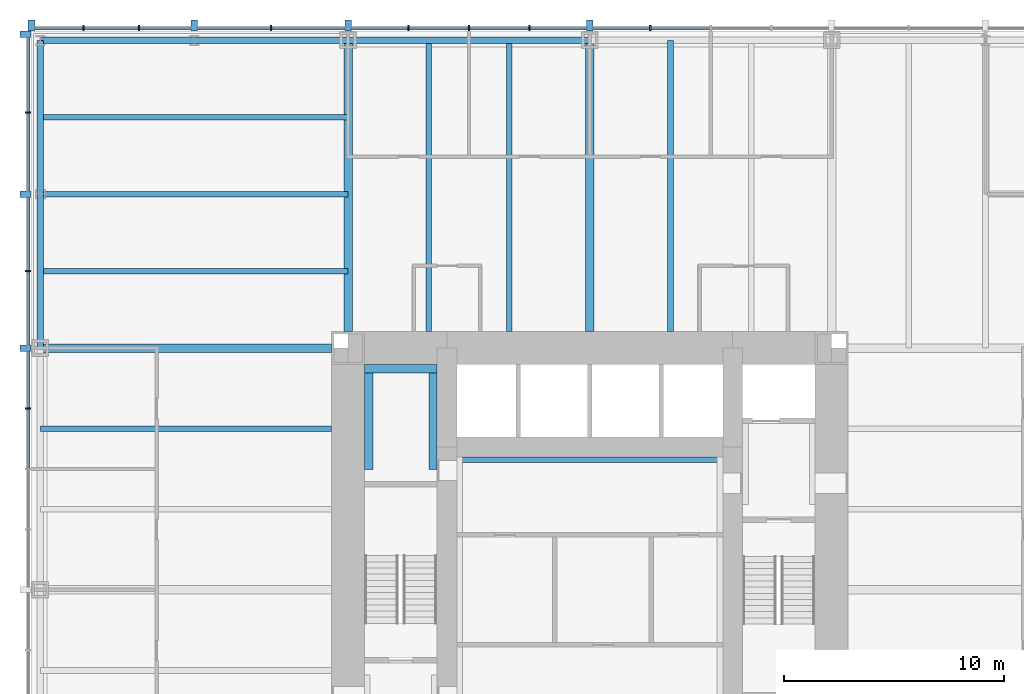
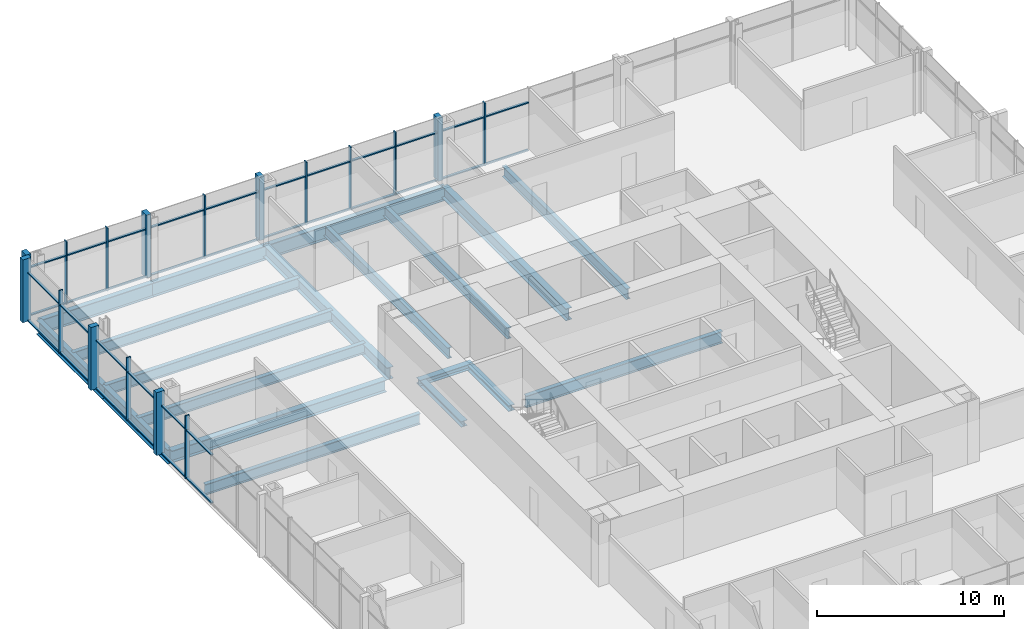
# One storey, part 5 of 12: 51 members, 19 beams, 2 elements without a shape of their own.
"""IFC4 building model written with IfcOpenShell, lengths in metres."""

from ifc_helpers import new_model, si_unit, direction, frame, origin, origin_2d, place, context, subcontext, project, spatial, rectangle, i_section, extrude, material, material_profile, profile_set, type_object, element, aggregate, save


model = new_model("IFC4")

# Units and contexts
model_context = context("Model", 3, precision=1e-05, world=origin(), true_north=direction((0.0, 1.0)))
body_context = subcontext(model_context, "Body", "Model", "MODEL_VIEW")
ifc_project = project(units=[si_unit("LENGTHUNIT", "METRE"), si_unit("AREAUNIT", "SQUARE_METRE"), si_unit("VOLUMEUNIT", "CUBIC_METRE"), si_unit("PLANEANGLEUNIT", "RADIAN"), si_unit("MASSUNIT", "GRAM", prefix="KILO")], contexts=[model_context])

# Site, building, storey
site_placement = place(None, origin())
site = spatial("IfcSite", under=ifc_project, at=site_placement, CompositionType="ELEMENT")
building_placement = place(site_placement, origin())
building = spatial("IfcBuilding", under=site, at=building_placement, Name="Trevanion Tower", CompositionType="ELEMENT")
storey_placement = place(building_placement, frame((0.0, 0.0, 77.5)))
storey = spatial("IfcBuildingStorey", under=building, at=storey_placement, Name="L18", CompositionType="ELEMENT", Elevation=77.5)

# Beams
ifc_material_1 = material(Name="Steel ASTM A992 Grade 50", Category="steel")
ifc_material_profile_1 = material_profile(ifc_material_1, i_section(OverallWidth=0.25390625, OverallDepth=0.700927734375, WebThickness=0.015380859375, FlangeThickness=0.02783203125, at=origin_2d()), Name="W27X129")
ifc_profile_set_1 = profile_set([ifc_material_profile_1], Name="Steel ASTM A992 Grade 50")
beam_type_1 = type_object("IfcBeamType", Name="B3 W27X129", PredefinedType="BEAM", material=ifc_profile_set_1)
for number, where, z_axis, x_axis, name in (
    (1, (3.666748046875, 11.75, -0.54052734375), (0.0, 1.0, 0.0), (-1.0, 0.0, 0.0), "B3 L18"),
    (2, (-3.666748046875, 11.75, -0.54052734375), (0.0, 1.0, 0.0), (-1.0, 0.0, 0.0), "B3 L18"),
    (3, (-7.333251953125, 11.75, -0.54052734375), (0.0, 1.0, 0.0), (-1.0, 0.0, 0.0), "B3 L18"),
    (4, (-11.75, 7.333251953125, -0.54052734375), (-1.0, 0.0, 0.0), (0.0, -1.0, 0.0), "B3 L18"),
):
    element("IfcBeam", number, at=place(storey_placement, frame(where, z_axis=z_axis, x_axis=x_axis)), inside=storey, type_object=beam_type_1, Name=name, PredefinedType="BEAM", context=body_context, shape_type="SweptSolid", body=[
        extrude(i_section(OverallWidth=0.25390625, OverallDepth=0.700927734375, WebThickness=0.015380859375, FlangeThickness=0.02783203125, at=origin_2d()), origin(), (0.0, 0.0, 1.0), 13.25),
    ])
ifc_material_2 = material(Name="Steel ASTM A992 Grade 50", Category="steel")
ifc_material_profile_2 = material_profile(ifc_material_2, i_section(OverallWidth=0.256591796875, OverallDepth=0.693359375, WebThickness=0.014404296875, FlangeThickness=0.023681640625, at=origin_2d()), Name="W27X114")
ifc_profile_set_2 = profile_set([ifc_material_profile_2], Name="Steel ASTM A992 Grade 50")
beam_type_2 = type_object("IfcBeamType", Name="B4 W27X114", PredefinedType="BEAM", material=ifc_profile_set_2)
for number, where, z_axis, x_axis, name in (
    (5, (-11.0, 14.5, -0.53662109375), (-1.0, 0.0, 0.0), (0.0, -1.0, 0.0), "B4 L18"),
    (6, (-11.0, 18.0, -0.53662109375), (-1.0, 0.0, 0.0), (0.0, -1.0, 0.0), "B4 L18"),
    (7, (-11.0, 21.5, -0.53662109375), (-1.0, 0.0, 0.0), (0.0, -1.0, 0.0), "B4 L18"),
):
    element("IfcBeam", number, at=place(storey_placement, frame(where, z_axis=z_axis, x_axis=x_axis)), inside=storey, type_object=beam_type_2, Name=name, PredefinedType="BEAM", context=body_context, shape_type="SweptSolid", body=[
        extrude(i_section(OverallWidth=0.256591796875, OverallDepth=0.693359375, WebThickness=0.014404296875, FlangeThickness=0.023681640625, at=origin_2d()), origin(), (0.0, 0.0, 1.0), 14.0),
    ])

# Curtain wall, members
ifc_material_3 = material(Name="Aluminium and glass", Category="aluminium")
curtain_wall_type = type_object("IfcCurtainWallType", Name="CW1 curtain wall", PredefinedType="USERDEFINED", material=ifc_material_3)
curtain_wall_1_placement = place(storey_placement, origin())
curtain_wall_1 = element("IfcCurtainWall", 8, at=curtain_wall_1_placement, inside=storey, type_object=curtain_wall_type, Name="CW1 L18 1", ObjectType="UNITISED CURTAIN WALL", PredefinedType="USERDEFINED")
ifc_material_4 = material(Name="Aluminium extrusion, anodised bronze", Category="aluminium")
ifc_material_profile_3 = material_profile(ifc_material_4, rectangle(XDim=0.074951171875, YDim=0.25, at=origin_2d()), Name="CW1 mullion")
ifc_profile_set_3 = profile_set([ifc_material_profile_3], Name="Aluminium extrusion, anodised bronze")
member_type_1 = type_object("IfcMemberType", Name="CW1 mullion", PredefinedType="MULLION", material=ifc_profile_set_3)
member_1_placement = place(storey_placement, frame((2.75, 25.550048828125, -0.18994140625), z_axis=(0.0, 0.0, 1.0), x_axis=(-1.0, 0.0, 0.0)))
member_1 = element("IfcMember", 9, at=member_1_placement, type_object=member_type_1, Name="CW1 mullion 8", PredefinedType="MULLION", context=body_context, shape_type="SweptSolid", body=[
    extrude(rectangle(XDim=0.074951171875, YDim=0.25, at=origin_2d()), origin(), (0.0, 0.0, 1.0), 4.099853515625),
])
member_2_placement = place(storey_placement, frame((-2.75, 25.550048828125, -0.18994140625), z_axis=(0.0, 0.0, 1.0), x_axis=(-1.0, 0.0, 0.0)))
member_2 = element("IfcMember", 10, at=member_2_placement, type_object=member_type_1, Name="CW1 mullion 10", PredefinedType="MULLION", context=body_context, shape_type="SweptSolid", body=[
    extrude(rectangle(XDim=0.074951171875, YDim=0.25, at=origin_2d()), origin(), (0.0, 0.0, 1.0), 4.099853515625),
])
member_3_placement = place(storey_placement, frame((-5.5, 25.550048828125, -0.18994140625), z_axis=(0.0, 0.0, 1.0), x_axis=(-1.0, 0.0, 0.0)))
member_3 = element("IfcMember", 11, at=member_3_placement, type_object=member_type_1, Name="CW1 mullion 11", PredefinedType="MULLION", context=body_context, shape_type="SweptSolid", body=[
    extrude(rectangle(XDim=0.074951171875, YDim=0.25, at=origin_2d()), origin(), (0.0, 0.0, 1.0), 4.099853515625),
])
member_4_placement = place(storey_placement, frame((-8.25, 25.550048828125, -0.18994140625), z_axis=(0.0, 0.0, 1.0), x_axis=(-1.0, 0.0, 0.0)))
member_4 = element("IfcMember", 12, at=member_4_placement, type_object=member_type_1, Name="CW1 mullion 12", PredefinedType="MULLION", context=body_context, shape_type="SweptSolid", body=[
    extrude(rectangle(XDim=0.074951171875, YDim=0.25, at=origin_2d()), origin(), (0.0, 0.0, 1.0), 4.099853515625),
])
member_5_placement = place(storey_placement, frame((-14.5, 25.550048828125, -0.18994140625), z_axis=(0.0, 0.0, 1.0), x_axis=(-1.0, 0.0, 0.0)))
member_5 = element("IfcMember", 13, at=member_5_placement, type_object=member_type_1, Name="CW1 mullion 14", PredefinedType="MULLION", context=body_context, shape_type="SweptSolid", body=[
    extrude(rectangle(XDim=0.074951171875, YDim=0.25, at=origin_2d()), origin(), (0.0, 0.0, 1.0), 4.099853515625),
])
member_6_placement = place(storey_placement, frame((-20.5166015625, 25.550048828125, -0.18994140625), z_axis=(0.0, 0.0, 1.0), x_axis=(-1.0, 0.0, 0.0)))
member_6 = element("IfcMember", 14, at=member_6_placement, type_object=member_type_1, Name="CW1 mullion 16", PredefinedType="MULLION", context=body_context, shape_type="SweptSolid", body=[
    extrude(rectangle(XDim=0.074951171875, YDim=0.25, at=origin_2d()), origin(), (0.0, 0.0, 1.0), 4.099853515625),
])
member_7_placement = place(storey_placement, frame((-23.033203125, 25.550048828125, -0.18994140625), z_axis=(0.0, 0.0, 1.0), x_axis=(-1.0, 0.0, 0.0)))
member_7 = element("IfcMember", 15, at=member_7_placement, type_object=member_type_1, Name="CW1 mullion 17", PredefinedType="MULLION", context=body_context, shape_type="SweptSolid", body=[
    extrude(rectangle(XDim=0.074951171875, YDim=0.25, at=origin_2d()), origin(), (0.0, 0.0, 1.0), 4.099853515625),
])

curtain_wall_2_placement = place(storey_placement, origin())
curtain_wall_2 = element("IfcCurtainWall", 16, at=curtain_wall_2_placement, inside=storey, type_object=curtain_wall_type, Name="CW1 L18 2", ObjectType="UNITISED CURTAIN WALL", PredefinedType="USERDEFINED")
member_8_placement = place(storey_placement, frame((-25.550048828125, 21.7099609375, -0.18994140625), z_axis=(0.0, 0.0, 1.0), x_axis=(0.0, -1.0, 0.0)))
member_8 = element("IfcMember", 17, at=member_8_placement, type_object=member_type_1, Name="CW1 mullion 2", PredefinedType="MULLION", context=body_context, shape_type="SweptSolid", body=[
    extrude(rectangle(XDim=0.074951171875, YDim=0.25, at=origin_2d()), origin(), (0.0, 0.0, 1.0), 4.099853515625),
])
member_9_placement = place(storey_placement, frame((-25.550048828125, 14.5, -0.18994140625), z_axis=(0.0, 0.0, 1.0), x_axis=(0.0, -1.0, 0.0)))
member_9 = element("IfcMember", 18, at=member_9_placement, type_object=member_type_1, Name="CW1 mullion 4", PredefinedType="MULLION", context=body_context, shape_type="SweptSolid", body=[
    extrude(rectangle(XDim=0.074951171875, YDim=0.25, at=origin_2d()), origin(), (0.0, 0.0, 1.0), 4.099853515625),
])
member_10_placement = place(storey_placement, frame((-25.550048828125, 8.25, -0.18994140625), z_axis=(0.0, 0.0, 1.0), x_axis=(0.0, -1.0, 0.0)))
member_10 = element("IfcMember", 19, at=member_10_placement, type_object=member_type_1, Name="CW1 mullion 6", PredefinedType="MULLION", context=body_context, shape_type="SweptSolid", body=[
    extrude(rectangle(XDim=0.074951171875, YDim=0.25, at=origin_2d()), origin(), (0.0, 0.0, 1.0), 4.099853515625),
])

# Member
ifc_material_5 = material(Name="Aluminium extrusion, anodised bronze", Category="aluminium")
ifc_material_profile_4 = material_profile(ifc_material_5, rectangle(XDim=0.300048828125, YDim=0.5, at=origin_2d()), Name="CW1 pier mullion")
ifc_profile_set_4 = profile_set([ifc_material_profile_4], Name="Aluminium extrusion, anodised bronze")
member_type_2 = type_object("IfcMemberType", Name="CW1 pier mullion", PredefinedType="MULLION", material=ifc_profile_set_4)
member_11_placement = place(storey_placement, frame((0.0, 25.675048828125, -0.18994140625), z_axis=(0.0, 0.0, 1.0), x_axis=(-1.0, 0.0, 0.0)))
member_11 = element("IfcMember", 20, at=member_11_placement, type_object=member_type_2, Name="CW1 pier mullion 9", PredefinedType="MULLION", context=body_context, shape_type="SweptSolid", body=[
    extrude(rectangle(XDim=0.300048828125, YDim=0.5, at=origin_2d()), origin(), (0.0, 0.0, 1.0), 4.099853515625),
])

member_12_placement = place(storey_placement, frame((-11.0, 25.675048828125, -0.18994140625), z_axis=(0.0, 0.0, 1.0), x_axis=(-1.0, 0.0, 0.0)))
member_12 = element("IfcMember", 21, at=member_12_placement, type_object=member_type_2, Name="CW1 pier mullion 13", PredefinedType="MULLION", context=body_context, shape_type="SweptSolid", body=[
    extrude(rectangle(XDim=0.300048828125, YDim=0.5, at=origin_2d()), origin(), (0.0, 0.0, 1.0), 4.099853515625),
])

member_13_placement = place(storey_placement, frame((-18.0, 25.675048828125, -0.18994140625), z_axis=(0.0, 0.0, 1.0), x_axis=(-1.0, 0.0, 0.0)))
member_13 = element("IfcMember", 22, at=member_13_placement, type_object=member_type_2, Name="CW1 pier mullion 15", PredefinedType="MULLION", context=body_context, shape_type="SweptSolid", body=[
    extrude(rectangle(XDim=0.300048828125, YDim=0.5, at=origin_2d()), origin(), (0.0, 0.0, 1.0), 4.099853515625),
])

member_14_placement = place(storey_placement, frame((-25.39990234375, 25.675048828125, -0.18994140625), z_axis=(0.0, 0.0, 1.0), x_axis=(-1.0, 0.0, 0.0)))
member_14 = element("IfcMember", 23, at=member_14_placement, type_object=member_type_2, Name="CW1 pier mullion 18", PredefinedType="MULLION", context=body_context, shape_type="SweptSolid", body=[
    extrude(rectangle(XDim=0.300048828125, YDim=0.5, at=origin_2d()), origin(), (0.0, 0.0, 1.0), 4.099853515625),
])

member_15_placement = place(storey_placement, frame((-25.675048828125, 25.27001953125, -0.18994140625), z_axis=(0.0, 0.0, 1.0), x_axis=(0.0, -1.0, 0.0)))
member_15 = element("IfcMember", 24, at=member_15_placement, type_object=member_type_2, Name="CW1 pier mullion 1", PredefinedType="MULLION", context=body_context, shape_type="SweptSolid", body=[
    extrude(rectangle(XDim=0.300048828125, YDim=0.5, at=origin_2d()), origin(), (0.0, 0.0, 1.0), 4.099853515625),
])

member_16_placement = place(storey_placement, frame((-25.675048828125, 18.0, -0.18994140625), z_axis=(0.0, 0.0, 1.0), x_axis=(0.0, -1.0, 0.0)))
member_16 = element("IfcMember", 25, at=member_16_placement, type_object=member_type_2, Name="CW1 pier mullion 3", PredefinedType="MULLION", context=body_context, shape_type="SweptSolid", body=[
    extrude(rectangle(XDim=0.300048828125, YDim=0.5, at=origin_2d()), origin(), (0.0, 0.0, 1.0), 4.099853515625),
])

member_17_placement = place(storey_placement, frame((-25.675048828125, 11.0, -0.18994140625), z_axis=(0.0, 0.0, 1.0), x_axis=(0.0, -1.0, 0.0)))
member_17 = element("IfcMember", 26, at=member_17_placement, type_object=member_type_2, Name="CW1 pier mullion 5", PredefinedType="MULLION", context=body_context, shape_type="SweptSolid", body=[
    extrude(rectangle(XDim=0.300048828125, YDim=0.5, at=origin_2d()), origin(), (0.0, 0.0, 1.0), 4.099853515625),
])

ifc_material_6 = material(Name="Aluminium extrusion, anodised bronze", Category="aluminium")
ifc_material_profile_5 = material_profile(ifc_material_6, rectangle(XDim=0.14990234375, YDim=0.074951171875, at=origin_2d()), Name="CW1 transom")
ifc_profile_set_5 = profile_set([ifc_material_profile_5], Name="Aluminium extrusion, anodised bronze")
member_type_3 = type_object("IfcMemberType", Name="CW1 transom", PredefinedType="USERDEFINED", material=ifc_profile_set_5)
member_18_placement = place(storey_placement, frame((5.46240234375, 25.550048828125, -0.152587890625), z_axis=(-1.0, 0.0, 0.0), x_axis=(0.0, -1.0, 0.0)))
member_18 = element("IfcMember", 27, at=member_18_placement, type_object=member_type_3, Name="CW1 transom 7.1", ObjectType="TRANSOM", PredefinedType="USERDEFINED", context=body_context, shape_type="SweptSolid", body=[
    extrude(rectangle(XDim=0.14990234375, YDim=0.074951171875, at=origin_2d()), origin(), (0.0, 0.0, 1.0), 2.6748046875),
])

member_19_placement = place(storey_placement, frame((5.46240234375, 25.550048828125, 2.9599609375), z_axis=(-1.0, 0.0, 0.0), x_axis=(0.0, -1.0, 0.0)))
member_19 = element("IfcMember", 28, at=member_19_placement, type_object=member_type_3, Name="CW1 transom 7.2", ObjectType="TRANSOM", PredefinedType="USERDEFINED", context=body_context, shape_type="SweptSolid", body=[
    extrude(rectangle(XDim=0.14990234375, YDim=0.074951171875, at=origin_2d()), origin(), (0.0, 0.0, 1.0), 2.6748046875),
])

member_20_placement = place(storey_placement, frame((2.71240234375, 25.550048828125, -0.152587890625), z_axis=(-1.0, 0.0, 0.0), x_axis=(0.0, -1.0, 0.0)))
member_20 = element("IfcMember", 29, at=member_20_placement, type_object=member_type_3, Name="CW1 transom 8.1", ObjectType="TRANSOM", PredefinedType="USERDEFINED", context=body_context, shape_type="SweptSolid", body=[
    extrude(rectangle(XDim=0.14990234375, YDim=0.074951171875, at=origin_2d()), origin(), (0.0, 0.0, 1.0), 2.5625),
])

member_21_placement = place(storey_placement, frame((2.71240234375, 25.550048828125, 2.9599609375), z_axis=(-1.0, 0.0, 0.0), x_axis=(0.0, -1.0, 0.0)))
member_21 = element("IfcMember", 30, at=member_21_placement, type_object=member_type_3, Name="CW1 transom 8.2", ObjectType="TRANSOM", PredefinedType="USERDEFINED", context=body_context, shape_type="SweptSolid", body=[
    extrude(rectangle(XDim=0.14990234375, YDim=0.074951171875, at=origin_2d()), origin(), (0.0, 0.0, 1.0), 2.5625),
])

member_22_placement = place(storey_placement, frame((-0.14990234375, 25.550048828125, -0.152587890625), z_axis=(-1.0, 0.0, 0.0), x_axis=(0.0, -1.0, 0.0)))
member_22 = element("IfcMember", 31, at=member_22_placement, type_object=member_type_3, Name="CW1 transom 9.1", ObjectType="TRANSOM", PredefinedType="USERDEFINED", context=body_context, shape_type="SweptSolid", body=[
    extrude(rectangle(XDim=0.14990234375, YDim=0.074951171875, at=origin_2d()), origin(), (0.0, 0.0, 1.0), 2.5625),
])

member_23_placement = place(storey_placement, frame((-0.14990234375, 25.550048828125, 2.9599609375), z_axis=(-1.0, 0.0, 0.0), x_axis=(0.0, -1.0, 0.0)))
member_23 = element("IfcMember", 32, at=member_23_placement, type_object=member_type_3, Name="CW1 transom 9.2", ObjectType="TRANSOM", PredefinedType="USERDEFINED", context=body_context, shape_type="SweptSolid", body=[
    extrude(rectangle(XDim=0.14990234375, YDim=0.074951171875, at=origin_2d()), origin(), (0.0, 0.0, 1.0), 2.5625),
])

member_24_placement = place(storey_placement, frame((-2.78759765625, 25.550048828125, -0.152587890625), z_axis=(-1.0, 0.0, 0.0), x_axis=(0.0, -1.0, 0.0)))
member_24 = element("IfcMember", 33, at=member_24_placement, type_object=member_type_3, Name="CW1 transom 10.1", ObjectType="TRANSOM", PredefinedType="USERDEFINED", context=body_context, shape_type="SweptSolid", body=[
    extrude(rectangle(XDim=0.14990234375, YDim=0.074951171875, at=origin_2d()), origin(), (0.0, 0.0, 1.0), 2.6748046875),
])

member_25_placement = place(storey_placement, frame((-2.78759765625, 25.550048828125, 2.9599609375), z_axis=(-1.0, 0.0, 0.0), x_axis=(0.0, -1.0, 0.0)))
member_25 = element("IfcMember", 34, at=member_25_placement, type_object=member_type_3, Name="CW1 transom 10.2", ObjectType="TRANSOM", PredefinedType="USERDEFINED", context=body_context, shape_type="SweptSolid", body=[
    extrude(rectangle(XDim=0.14990234375, YDim=0.074951171875, at=origin_2d()), origin(), (0.0, 0.0, 1.0), 2.6748046875),
])

member_26_placement = place(storey_placement, frame((-5.53759765625, 25.550048828125, -0.152587890625), z_axis=(-1.0, 0.0, 0.0), x_axis=(0.0, -1.0, 0.0)))
member_26 = element("IfcMember", 35, at=member_26_placement, type_object=member_type_3, Name="CW1 transom 11.1", ObjectType="TRANSOM", PredefinedType="USERDEFINED", context=body_context, shape_type="SweptSolid", body=[
    extrude(rectangle(XDim=0.14990234375, YDim=0.074951171875, at=origin_2d()), origin(), (0.0, 0.0, 1.0), 2.6748046875),
])

member_27_placement = place(storey_placement, frame((-5.53759765625, 25.550048828125, 2.9599609375), z_axis=(-1.0, 0.0, 0.0), x_axis=(0.0, -1.0, 0.0)))
member_27 = element("IfcMember", 36, at=member_27_placement, type_object=member_type_3, Name="CW1 transom 11.2", ObjectType="TRANSOM", PredefinedType="USERDEFINED", context=body_context, shape_type="SweptSolid", body=[
    extrude(rectangle(XDim=0.14990234375, YDim=0.074951171875, at=origin_2d()), origin(), (0.0, 0.0, 1.0), 2.6748046875),
])

member_28_placement = place(storey_placement, frame((-8.28759765625, 25.550048828125, -0.152587890625), z_axis=(-1.0, 0.0, 0.0), x_axis=(0.0, -1.0, 0.0)))
member_28 = element("IfcMember", 37, at=member_28_placement, type_object=member_type_3, Name="CW1 transom 12.1", ObjectType="TRANSOM", PredefinedType="USERDEFINED", context=body_context, shape_type="SweptSolid", body=[
    extrude(rectangle(XDim=0.14990234375, YDim=0.074951171875, at=origin_2d()), origin(), (0.0, 0.0, 1.0), 2.5625),
])

member_29_placement = place(storey_placement, frame((-8.28759765625, 25.550048828125, 2.9599609375), z_axis=(-1.0, 0.0, 0.0), x_axis=(0.0, -1.0, 0.0)))
member_29 = element("IfcMember", 38, at=member_29_placement, type_object=member_type_3, Name="CW1 transom 12.2", ObjectType="TRANSOM", PredefinedType="USERDEFINED", context=body_context, shape_type="SweptSolid", body=[
    extrude(rectangle(XDim=0.14990234375, YDim=0.074951171875, at=origin_2d()), origin(), (0.0, 0.0, 1.0), 2.5625),
])

member_30_placement = place(storey_placement, frame((-11.14990234375, 25.550048828125, -0.152587890625), z_axis=(-1.0, 0.0, 0.0), x_axis=(0.0, -1.0, 0.0)))
member_30 = element("IfcMember", 39, at=member_30_placement, type_object=member_type_3, Name="CW1 transom 13.1", ObjectType="TRANSOM", PredefinedType="USERDEFINED", context=body_context, shape_type="SweptSolid", body=[
    extrude(rectangle(XDim=0.14990234375, YDim=0.074951171875, at=origin_2d()), origin(), (0.0, 0.0, 1.0), 3.3125),
])

member_31_placement = place(storey_placement, frame((-11.14990234375, 25.550048828125, 2.9599609375), z_axis=(-1.0, 0.0, 0.0), x_axis=(0.0, -1.0, 0.0)))
member_31 = element("IfcMember", 40, at=member_31_placement, type_object=member_type_3, Name="CW1 transom 13.2", ObjectType="TRANSOM", PredefinedType="USERDEFINED", context=body_context, shape_type="SweptSolid", body=[
    extrude(rectangle(XDim=0.14990234375, YDim=0.074951171875, at=origin_2d()), origin(), (0.0, 0.0, 1.0), 3.3125),
])

member_32_placement = place(storey_placement, frame((-14.53759765625, 25.550048828125, -0.152587890625), z_axis=(-1.0, 0.0, 0.0), x_axis=(0.0, -1.0, 0.0)))
member_32 = element("IfcMember", 41, at=member_32_placement, type_object=member_type_3, Name="CW1 transom 14.1", ObjectType="TRANSOM", PredefinedType="USERDEFINED", context=body_context, shape_type="SweptSolid", body=[
    extrude(rectangle(XDim=0.14990234375, YDim=0.074951171875, at=origin_2d()), origin(), (0.0, 0.0, 1.0), 3.3125),
])

member_33_placement = place(storey_placement, frame((-14.53759765625, 25.550048828125, 2.9599609375), z_axis=(-1.0, 0.0, 0.0), x_axis=(0.0, -1.0, 0.0)))
member_33 = element("IfcMember", 42, at=member_33_placement, type_object=member_type_3, Name="CW1 transom 14.2", ObjectType="TRANSOM", PredefinedType="USERDEFINED", context=body_context, shape_type="SweptSolid", body=[
    extrude(rectangle(XDim=0.14990234375, YDim=0.074951171875, at=origin_2d()), origin(), (0.0, 0.0, 1.0), 3.3125),
])

member_34_placement = place(storey_placement, frame((-18.14990234375, 25.550048828125, -0.152587890625), z_axis=(-1.0, 0.0, 0.0), x_axis=(0.0, -1.0, 0.0)))
member_34 = element("IfcMember", 43, at=member_34_placement, type_object=member_type_3, Name="CW1 transom 15.1", ObjectType="TRANSOM", PredefinedType="USERDEFINED", context=body_context, shape_type="SweptSolid", body=[
    extrude(rectangle(XDim=0.14990234375, YDim=0.074951171875, at=origin_2d()), origin(), (0.0, 0.0, 1.0), 2.329345703125),
])

member_35_placement = place(storey_placement, frame((-18.14990234375, 25.550048828125, 2.9599609375), z_axis=(-1.0, 0.0, 0.0), x_axis=(0.0, -1.0, 0.0)))
member_35 = element("IfcMember", 44, at=member_35_placement, type_object=member_type_3, Name="CW1 transom 15.2", ObjectType="TRANSOM", PredefinedType="USERDEFINED", context=body_context, shape_type="SweptSolid", body=[
    extrude(rectangle(XDim=0.14990234375, YDim=0.074951171875, at=origin_2d()), origin(), (0.0, 0.0, 1.0), 2.329345703125),
])

member_36_placement = place(storey_placement, frame((-20.55419921875, 25.550048828125, -0.152587890625), z_axis=(-1.0, 0.0, 0.0), x_axis=(0.0, -1.0, 0.0)))
member_36 = element("IfcMember", 45, at=member_36_placement, type_object=member_type_3, Name="CW1 transom 16.1", ObjectType="TRANSOM", PredefinedType="USERDEFINED", context=body_context, shape_type="SweptSolid", body=[
    extrude(rectangle(XDim=0.14990234375, YDim=0.074951171875, at=origin_2d()), origin(), (0.0, 0.0, 1.0), 2.441650390625),
])

member_37_placement = place(storey_placement, frame((-20.55419921875, 25.550048828125, 2.9599609375), z_axis=(-1.0, 0.0, 0.0), x_axis=(0.0, -1.0, 0.0)))
member_37 = element("IfcMember", 46, at=member_37_placement, type_object=member_type_3, Name="CW1 transom 16.2", ObjectType="TRANSOM", PredefinedType="USERDEFINED", context=body_context, shape_type="SweptSolid", body=[
    extrude(rectangle(XDim=0.14990234375, YDim=0.074951171875, at=origin_2d()), origin(), (0.0, 0.0, 1.0), 2.441650390625),
])

member_38_placement = place(storey_placement, frame((-23.07080078125, 25.550048828125, -0.152587890625), z_axis=(-1.0, 0.0, 0.0), x_axis=(0.0, -1.0, 0.0)))
member_38 = element("IfcMember", 47, at=member_38_placement, type_object=member_type_3, Name="CW1 transom 17.1", ObjectType="TRANSOM", PredefinedType="USERDEFINED", context=body_context, shape_type="SweptSolid", body=[
    extrude(rectangle(XDim=0.14990234375, YDim=0.074951171875, at=origin_2d()), origin(), (0.0, 0.0, 1.0), 2.17919921875),
])

member_39_placement = place(storey_placement, frame((-23.07080078125, 25.550048828125, 2.9599609375), z_axis=(-1.0, 0.0, 0.0), x_axis=(0.0, -1.0, 0.0)))
member_39 = element("IfcMember", 48, at=member_39_placement, type_object=member_type_3, Name="CW1 transom 17.2", ObjectType="TRANSOM", PredefinedType="USERDEFINED", context=body_context, shape_type="SweptSolid", body=[
    extrude(rectangle(XDim=0.14990234375, YDim=0.074951171875, at=origin_2d()), origin(), (0.0, 0.0, 1.0), 2.17919921875),
])

aggregate(curtain_wall_1, [member_1, member_11, member_2, member_3, member_4, member_12, member_5, member_13, member_6, member_7, member_14, member_18, member_19, member_20, member_21, member_22, member_23, member_24, member_25, member_26, member_27, member_28, member_29, member_30, member_31, member_32, member_33, member_34, member_35, member_36, member_37, member_38, member_39])

member_40_placement = place(storey_placement, frame((-25.550048828125, 25.1201171875, -0.152587890625), z_axis=(0.0, -1.0, 0.0), x_axis=(1.0, 0.0, 0.0)))
member_40 = element("IfcMember", 49, at=member_40_placement, type_object=member_type_3, Name="CW1 transom 1.1", ObjectType="TRANSOM", PredefinedType="USERDEFINED", context=body_context, shape_type="SweptSolid", body=[
    extrude(rectangle(XDim=0.14990234375, YDim=0.074951171875, at=origin_2d()), origin(), (0.0, 0.0, 1.0), 3.37255859375),
])

member_41_placement = place(storey_placement, frame((-25.550048828125, 25.1201171875, 2.9599609375), z_axis=(0.0, -1.0, 0.0), x_axis=(1.0, 0.0, 0.0)))
member_41 = element("IfcMember", 50, at=member_41_placement, type_object=member_type_3, Name="CW1 transom 1.2", ObjectType="TRANSOM", PredefinedType="USERDEFINED", context=body_context, shape_type="SweptSolid", body=[
    extrude(rectangle(XDim=0.14990234375, YDim=0.074951171875, at=origin_2d()), origin(), (0.0, 0.0, 1.0), 3.37255859375),
])

member_42_placement = place(storey_placement, frame((-25.550048828125, 21.672607421875, -0.152587890625), z_axis=(0.0, -1.0, 0.0), x_axis=(1.0, 0.0, 0.0)))
member_42 = element("IfcMember", 51, at=member_42_placement, type_object=member_type_3, Name="CW1 transom 2.1", ObjectType="TRANSOM", PredefinedType="USERDEFINED", context=body_context, shape_type="SweptSolid", body=[
    extrude(rectangle(XDim=0.14990234375, YDim=0.074951171875, at=origin_2d()), origin(), (0.0, 0.0, 1.0), 3.522705078125),
])

member_43_placement = place(storey_placement, frame((-25.550048828125, 21.672607421875, 2.9599609375), z_axis=(0.0, -1.0, 0.0), x_axis=(1.0, 0.0, 0.0)))
member_43 = element("IfcMember", 52, at=member_43_placement, type_object=member_type_3, Name="CW1 transom 2.2", ObjectType="TRANSOM", PredefinedType="USERDEFINED", context=body_context, shape_type="SweptSolid", body=[
    extrude(rectangle(XDim=0.14990234375, YDim=0.074951171875, at=origin_2d()), origin(), (0.0, 0.0, 1.0), 3.522705078125),
])

member_44_placement = place(storey_placement, frame((-25.550048828125, 17.85009765625, -0.152587890625), z_axis=(0.0, -1.0, 0.0), x_axis=(1.0, 0.0, 0.0)))
member_44 = element("IfcMember", 53, at=member_44_placement, type_object=member_type_3, Name="CW1 transom 3.1", ObjectType="TRANSOM", PredefinedType="USERDEFINED", context=body_context, shape_type="SweptSolid", body=[
    extrude(rectangle(XDim=0.14990234375, YDim=0.074951171875, at=origin_2d()), origin(), (0.0, 0.0, 1.0), 3.3125),
])

member_45_placement = place(storey_placement, frame((-25.550048828125, 17.85009765625, 2.9599609375), z_axis=(0.0, -1.0, 0.0), x_axis=(1.0, 0.0, 0.0)))
member_45 = element("IfcMember", 54, at=member_45_placement, type_object=member_type_3, Name="CW1 transom 3.2", ObjectType="TRANSOM", PredefinedType="USERDEFINED", context=body_context, shape_type="SweptSolid", body=[
    extrude(rectangle(XDim=0.14990234375, YDim=0.074951171875, at=origin_2d()), origin(), (0.0, 0.0, 1.0), 3.3125),
])

member_46_placement = place(storey_placement, frame((-25.550048828125, 14.46240234375, -0.152587890625), z_axis=(0.0, -1.0, 0.0), x_axis=(1.0, 0.0, 0.0)))
member_46 = element("IfcMember", 55, at=member_46_placement, type_object=member_type_3, Name="CW1 transom 4.1", ObjectType="TRANSOM", PredefinedType="USERDEFINED", context=body_context, shape_type="SweptSolid", body=[
    extrude(rectangle(XDim=0.14990234375, YDim=0.074951171875, at=origin_2d()), origin(), (0.0, 0.0, 1.0), 3.3125),
])

member_47_placement = place(storey_placement, frame((-25.550048828125, 14.46240234375, 2.9599609375), z_axis=(0.0, -1.0, 0.0), x_axis=(1.0, 0.0, 0.0)))
member_47 = element("IfcMember", 56, at=member_47_placement, type_object=member_type_3, Name="CW1 transom 4.2", ObjectType="TRANSOM", PredefinedType="USERDEFINED", context=body_context, shape_type="SweptSolid", body=[
    extrude(rectangle(XDim=0.14990234375, YDim=0.074951171875, at=origin_2d()), origin(), (0.0, 0.0, 1.0), 3.3125),
])

member_48_placement = place(storey_placement, frame((-25.550048828125, 10.85009765625, -0.152587890625), z_axis=(0.0, -1.0, 0.0), x_axis=(1.0, 0.0, 0.0)))
member_48 = element("IfcMember", 57, at=member_48_placement, type_object=member_type_3, Name="CW1 transom 5.1", ObjectType="TRANSOM", PredefinedType="USERDEFINED", context=body_context, shape_type="SweptSolid", body=[
    extrude(rectangle(XDim=0.14990234375, YDim=0.074951171875, at=origin_2d()), origin(), (0.0, 0.0, 1.0), 2.5625),
])

member_49_placement = place(storey_placement, frame((-25.550048828125, 10.85009765625, 2.9599609375), z_axis=(0.0, -1.0, 0.0), x_axis=(1.0, 0.0, 0.0)))
member_49 = element("IfcMember", 58, at=member_49_placement, type_object=member_type_3, Name="CW1 transom 5.2", ObjectType="TRANSOM", PredefinedType="USERDEFINED", context=body_context, shape_type="SweptSolid", body=[
    extrude(rectangle(XDim=0.14990234375, YDim=0.074951171875, at=origin_2d()), origin(), (0.0, 0.0, 1.0), 2.5625),
])

member_50_placement = place(storey_placement, frame((-25.550048828125, 8.21240234375, -0.152587890625), z_axis=(0.0, -1.0, 0.0), x_axis=(1.0, 0.0, 0.0)))
member_50 = element("IfcMember", 59, at=member_50_placement, type_object=member_type_3, Name="CW1 transom 6.1", ObjectType="TRANSOM", PredefinedType="USERDEFINED", context=body_context, shape_type="SweptSolid", body=[
    extrude(rectangle(XDim=0.14990234375, YDim=0.074951171875, at=origin_2d()), origin(), (0.0, 0.0, 1.0), 2.6748046875),
])

member_51_placement = place(storey_placement, frame((-25.550048828125, 8.21240234375, 2.9599609375), z_axis=(0.0, -1.0, 0.0), x_axis=(1.0, 0.0, 0.0)))
member_51 = element("IfcMember", 60, at=member_51_placement, type_object=member_type_3, Name="CW1 transom 6.2", ObjectType="TRANSOM", PredefinedType="USERDEFINED", context=body_context, shape_type="SweptSolid", body=[
    extrude(rectangle(XDim=0.14990234375, YDim=0.074951171875, at=origin_2d()), origin(), (0.0, 0.0, 1.0), 2.6748046875),
])

aggregate(curtain_wall_2, [member_15, member_8, member_16, member_9, member_17, member_10, member_40, member_41, member_42, member_43, member_44, member_45, member_46, member_47, member_48, member_49, member_50, member_51])

# Beams
ifc_material_7 = material(Name="Steel ASTM A992 Grade 50", Category="steel")
ifc_material_profile_6 = material_profile(ifc_material_7, i_section(OverallWidth=0.381103515625, OverallDepth=0.77978515625, WebThickness=0.01806640625, FlangeThickness=0.0302734375, at=origin_2d()), Name="W30X191")
ifc_profile_set_6 = profile_set([ifc_material_profile_6], Name="Steel ASTM A992 Grade 50")
beam_type_3 = type_object("IfcBeamType", Name="G2 W30X191", PredefinedType="BEAM", material=ifc_profile_set_6)
for number, where, z_axis, x_axis, name in (
    (61, (0.0, 11.75, -0.579833984375), (0.0, 1.0, 0.0), (-1.0, 0.0, 0.0), "G2 L18"),
    (62, (-11.0, 11.75, -0.579833984375), (0.0, 1.0, 0.0), (-1.0, 0.0, 0.0), "G2 L18"),
    (63, (-11.75, 11.0, -0.579833984375), (-1.0, 0.0, 0.0), (0.0, -1.0, 0.0), "G2 L18"),
):
    element("IfcBeam", number, at=place(storey_placement, frame(where, z_axis=z_axis, x_axis=x_axis)), inside=storey, type_object=beam_type_3, Name=name, PredefinedType="BEAM", context=body_context, shape_type="SweptSolid", body=[
        extrude(i_section(OverallWidth=0.381103515625, OverallDepth=0.77978515625, WebThickness=0.01806640625, FlangeThickness=0.0302734375, at=origin_2d()), origin(), (0.0, 0.0, 1.0), 13.25),
    ])
ifc_material_8 = material(Name="Steel ASTM A992 Grade 50", Category="steel")
ifc_material_profile_7 = material_profile(ifc_material_8, i_section(OverallWidth=0.373291015625, OverallDepth=0.373291015625, WebThickness=0.016357421875, FlangeThickness=0.026123046875, at=origin_2d()), Name="W14X132")
ifc_profile_set_7 = profile_set([ifc_material_profile_7], Name="Steel ASTM A992 Grade 50")
beam_type_4 = type_object("IfcBeamType", Name="LB2 W14X132", PredefinedType="BEAM", material=ifc_profile_set_7)
for number, where, z_axis, x_axis, name in (
    (64, (-10.063232421875, 5.47509765625, -0.38671875), (0.0, 1.0, 0.0), (-1.0, 0.0, 0.0), "LB2 L18"),
    (65, (-7.13671875, 5.47509765625, -0.38671875), (0.0, 1.0, 0.0), (-1.0, 0.0, 0.0), "LB2 L18"),
):
    element("IfcBeam", number, at=place(storey_placement, frame(where, z_axis=z_axis, x_axis=x_axis)), inside=storey, type_object=beam_type_4, Name=name, PredefinedType="BEAM", context=body_context, shape_type="SweptSolid", body=[
        extrude(i_section(OverallWidth=0.373291015625, OverallDepth=0.373291015625, WebThickness=0.016357421875, FlangeThickness=0.026123046875, at=origin_2d()), origin(), (0.0, 0.0, 1.0), 4.77490234375),
    ])
beam_1_placement = place(storey_placement, frame((-10.25, 10.063232421875, -0.38671875), z_axis=(1.0, 0.0, 0.0), x_axis=(0.0, 1.0, 0.0)))
element("IfcBeam", 66, at=beam_1_placement, inside=storey, type_object=beam_type_4, Name="LB2 L18", PredefinedType="BEAM", context=body_context, shape_type="SweptSolid", body=[
    extrude(i_section(OverallWidth=0.373291015625, OverallDepth=0.373291015625, WebThickness=0.016357421875, FlangeThickness=0.026123046875, at=origin_2d()), origin(), (0.0, 0.0, 1.0), 3.300048828125),
])
ifc_material_9 = material(Name="Steel ASTM A992 Grade 50", Category="steel")
ifc_material_profile_8 = material_profile(ifc_material_9, i_section(OverallWidth=0.2666015625, OverallDepth=0.76953125, WebThickness=0.015625, FlangeThickness=0.025390625, at=origin_2d()), Name="W30X132")
ifc_profile_set_8 = profile_set([ifc_material_profile_8], Name="Steel ASTM A992 Grade 50")
beam_type_5 = type_object("IfcBeamType", Name="LB3 W30X132", PredefinedType="BEAM", material=ifc_profile_set_8)
beam_2_placement = place(storey_placement, frame((-6.050048828125, 5.91650390625, -0.584716796875), z_axis=(1.0, 0.0, 0.0), x_axis=(0.0, 1.0, 0.0)))
element("IfcBeam", 67, at=beam_2_placement, inside=storey, type_object=beam_type_5, Name="LB3 L18", PredefinedType="BEAM", context=body_context, shape_type="SweptSolid", body=[
    extrude(i_section(OverallWidth=0.2666015625, OverallDepth=0.76953125, WebThickness=0.015625, FlangeThickness=0.025390625, at=origin_2d()), origin(), (0.0, 0.0, 1.0), 12.10009765625),
])
ifc_material_10 = material(Name="Steel ASTM A992 Grade 50", Category="steel")
ifc_material_profile_9 = material_profile(ifc_material_10, i_section(OverallWidth=0.307373046875, OverallDepth=0.927001953125, WebThickness=0.01953125, FlangeThickness=0.031982421875, at=origin_2d()), Name="W36X194")
ifc_profile_set_9 = profile_set([ifc_material_profile_9], Name="Steel ASTM A992 Grade 50")
beam_type_6 = type_object("IfcBeamType", Name="SB2 W36X194", PredefinedType="SPANDREL", material=ifc_profile_set_9)
beam_3_placement = place(storey_placement, frame((0.0, 25.0, -0.653564453125), z_axis=(-1.0, 0.0, 0.0), x_axis=(0.0, -1.0, 0.0)))
element("IfcBeam", 68, at=beam_3_placement, inside=storey, type_object=beam_type_6, Name="SB2 L18", PredefinedType="SPANDREL", context=body_context, shape_type="SweptSolid", body=[
    extrude(i_section(OverallWidth=0.307373046875, OverallDepth=0.927001953125, WebThickness=0.01953125, FlangeThickness=0.031982421875, at=origin_2d()), origin(), (0.0, 0.0, 1.0), 11.0),
])
for number, where, z_axis, x_axis, name in (
    (69, (-11.0, 25.0, -0.653564453125), (-1.0, 0.0, 0.0), (0.0, -1.0, 0.0), "SB2 L18"),
    (70, (-18.0, 25.0, -0.653564453125), (-1.0, 0.0, 0.0), (0.0, -1.0, 0.0), "SB2 L18"),
    (71, (-25.0, 25.0, -0.653564453125), (0.0, -1.0, 0.0), (1.0, 0.0, 0.0), "SB2 L18"),
    (72, (-25.0, 18.0, -0.653564453125), (0.0, -1.0, 0.0), (1.0, 0.0, 0.0), "SB2 L18"),
):
    element("IfcBeam", number, at=place(storey_placement, frame(where, z_axis=z_axis, x_axis=x_axis)), inside=storey, type_object=beam_type_6, Name=name, PredefinedType="SPANDREL", context=body_context, shape_type="SweptSolid", body=[
        extrude(i_section(OverallWidth=0.307373046875, OverallDepth=0.927001953125, WebThickness=0.01953125, FlangeThickness=0.031982421875, at=origin_2d()), origin(), (0.0, 0.0, 1.0), 7.0),
    ])

save(model, "model.ifc")
